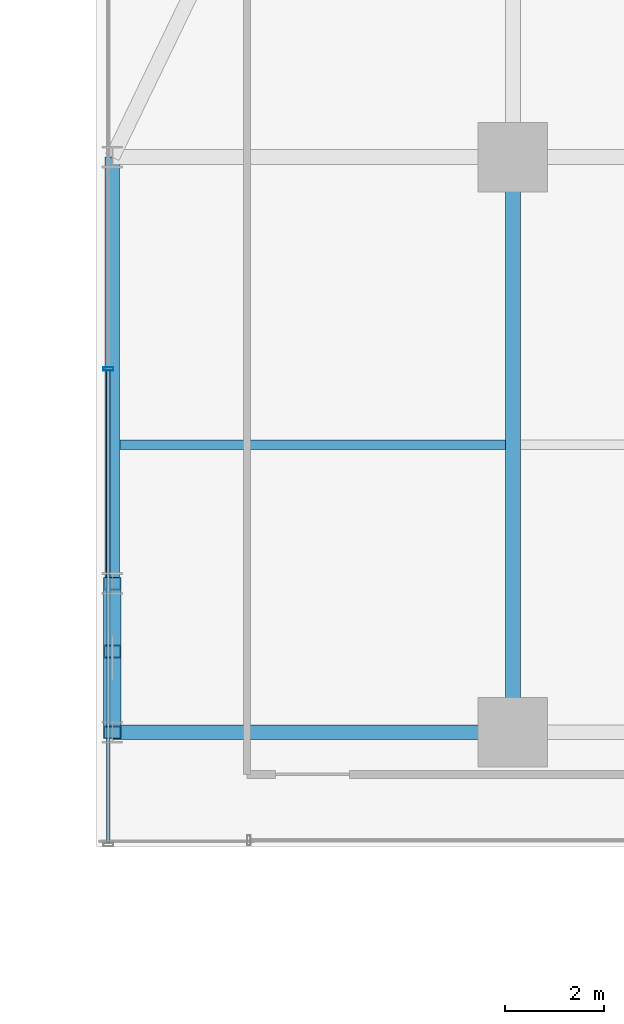
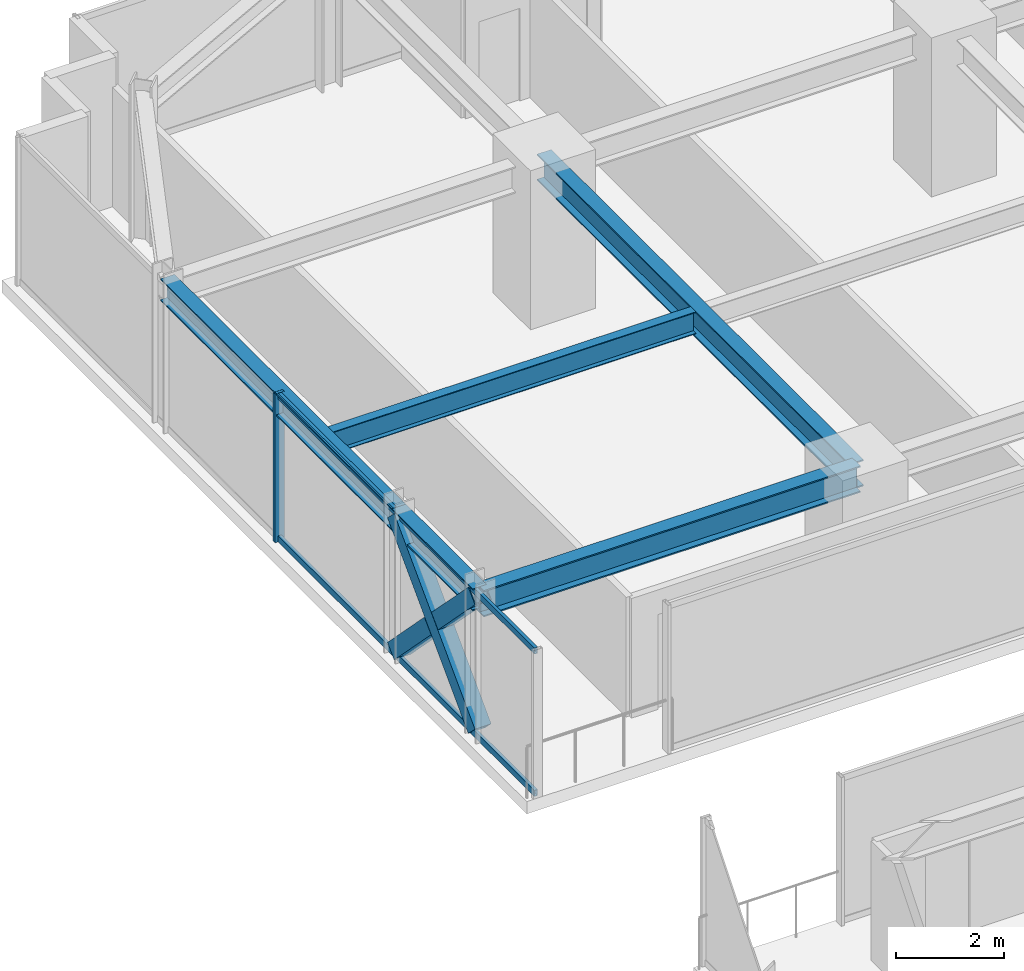
# One storey, part 21 of 38: 6 members, 5 beams, 1 element without a shape of its own.
"""IFC4 building model written with IfcOpenShell, lengths in metres."""

import ifcopenshell
import ifcopenshell.guid

model = None  # the IFC model being written
_history = None  # IfcOwnerHistory: only IFC2X3 demands one
_inside = {}  # id of a spatial element -> (the spatial element, [elements in it])
_under = {}  # id of a project, library or spatial element -> (it, [spatial elements below it])
_declared = {}  # id of a project -> (the project, [libraries it declares])
_typed = {}  # id of a type object -> (the type object, [elements of that type])
_made_of = {}  # id of a material, layer set ... -> (it, [elements and type objects made of it])


def new_model(schema):
    """Start an empty IFC model of exactly this schema.

    Asked for "IFC4X3", IfcOpenShell would pick the latest addendum, in which some entities
    have other attributes; the version numbers below select the first issue.
    IFC2X3 requires an IfcOwnerHistory on every rooted entity: one is made here for all.
    """
    global model, _history
    if schema == "IFC4X3":
        model = ifcopenshell.file(schema_version=(4, 3, 0, 0))
    else:
        model = ifcopenshell.file(schema=schema)
    _inside.clear()
    _under.clear()
    _declared.clear()
    _typed.clear()
    _made_of.clear()
    _history = None
    if model.schema == "IFC2X3":
        org = make("IfcOrganization", Name="unknown")
        user = make(
            "IfcPersonAndOrganization",
            ThePerson=make("IfcPerson", FamilyName="unknown"),
            TheOrganization=org,
        )
        app = make(
            "IfcApplication",
            ApplicationDeveloper=org,
            Version="unknown",
            ApplicationFullName="unknown",
            ApplicationIdentifier="unknown",
        )
        _history = make(
            "IfcOwnerHistory",
            OwningUser=user,
            OwningApplication=app,
            ChangeAction="ADDED",
            CreationDate=0,
        )
    return model


def make(cls, **values):
    """One entity of the class cls with the attributes given. An attribute that is None is left unset."""
    return model.create_entity(
        cls, **{name: value for name, value in values.items() if value is not None}
    )


def rooted(cls, **values):
    """An entity with a GlobalId (a new one), such as an element, a storey or a relation."""
    return make(cls, GlobalId=ifcopenshell.guid.new(), OwnerHistory=_history, **values)


def si_unit(unit_type, name, prefix=None):
    """IfcSIUnit, for example si_unit("LENGTHUNIT", "METRE", prefix="MILLI")."""
    return make("IfcSIUnit", UnitType=unit_type, Prefix=prefix, Name=name)


def assignment(units):
    """IfcUnitAssignment: the units of a project."""
    return None if units is None else make("IfcUnitAssignment", Units=units)


def point(xyz):
    """IfcCartesianPoint."""
    return None if xyz is None else make("IfcCartesianPoint", Coordinates=xyz)


def direction(xyz):
    """IfcDirection."""
    return None if xyz is None else make("IfcDirection", DirectionRatios=xyz)


def frame(location, z_axis=None, x_axis=None):
    """IfcAxis2Placement3D, a coordinate frame: its origin and axes. An axis left out is left unset."""
    return make(
        "IfcAxis2Placement3D",
        Location=point(location),
        Axis=direction(z_axis),
        RefDirection=direction(x_axis),
    )


def frame_2d(location, x_axis=None):
    """IfcAxis2Placement2D, a coordinate frame in the plane: its origin and x axis."""
    return make(
        "IfcAxis2Placement2D", Location=point(location), RefDirection=direction(x_axis)
    )


def origin():
    """The frame at (0, 0, 0) with its axes left unset."""
    return frame((0.0, 0.0, 0.0))


def origin_2d():
    """The frame at (0, 0) in the plane with its x axis left unset."""
    return frame_2d((0.0, 0.0))


def place(relative_to, where):
    """IfcLocalPlacement: puts the frame where relative to a parent placement (None: the world)."""
    return make(
        "IfcLocalPlacement", PlacementRelTo=relative_to, RelativePlacement=where
    )


def context(
    kind, dimensions, precision=None, world=None, true_north=None, identifier=None
):
    """IfcGeometricRepresentationContext, for example the 3D "Model" context."""
    return make(
        "IfcGeometricRepresentationContext",
        ContextIdentifier=identifier,
        ContextType=kind,
        CoordinateSpaceDimension=dimensions,
        Precision=precision,
        WorldCoordinateSystem=world,
        TrueNorth=true_north,
    )


def subcontext(parent, identifier, kind, view, scale=None):
    """IfcGeometricRepresentationSubContext, for example "Body" below "Model"."""
    return make(
        "IfcGeometricRepresentationSubContext",
        ContextIdentifier=identifier,
        ContextType=kind,
        ParentContext=parent,
        TargetScale=scale,
        TargetView=view,
    )


def project(units=None, contexts=None):
    """IfcProject with its units and contexts."""
    return rooted(
        "IfcProject",
        Name="project",
        RepresentationContexts=contexts,
        UnitsInContext=assignment(units),
    )


def spatial(cls, under=None, at=None, **own):
    """A site, building, storey or space (cls), placed at a placement, below another one or the project."""
    s = rooted(cls, ObjectPlacement=at, **own)
    if under is not None:
        _under.setdefault(under.id(), (under, []))[1].append(s)
    return s


def profile(cls, at=None, kind="AREA", **sizes):
    """A parametric profile (cls). Its sizes go by their IFC names, for example OverallWidth=200.0."""
    return make(cls, ProfileType=kind, Position=at, **sizes)


def hollow_rectangle(**sizes):
    """IfcRectangleHollowProfileDef."""
    return profile("IfcRectangleHollowProfileDef", **sizes)


def i_section(**sizes):
    """IfcIShapeProfileDef."""
    return profile("IfcIShapeProfileDef", **sizes)


def extrude(swept, where, along, depth):
    """IfcExtrudedAreaSolid: the profile swept, set in the frame where, extruded along a direction by depth."""
    return make(
        "IfcExtrudedAreaSolid",
        SweptArea=swept,
        Position=where,
        ExtrudedDirection=direction(along),
        Depth=depth,
    )


def shape(context_of_items, identifier, shape_type, items):
    """IfcShapeRepresentation: the items that make up one representation, for example the "Body"."""
    return make(
        "IfcShapeRepresentation",
        ContextOfItems=context_of_items,
        RepresentationIdentifier=identifier,
        RepresentationType=shape_type,
        Items=items,
    )


def source(mapping_origin, context_of_items, identifier, shape_type, items):
    """IfcRepresentationMap: a shape defined once, which mapped items show again and again."""
    return make(
        "IfcRepresentationMap",
        MappingOrigin=mapping_origin,
        MappedRepresentation=shape(context_of_items, identifier, shape_type, items),
    )


def transform(
    local_origin,
    x_axis=None,
    y_axis=None,
    z_axis=None,
    scale=None,
    scale2=None,
    scale3=None,
    uniform=True,
):
    """IfcCartesianTransformationOperator3D, or its non-uniform kind. x_axis, y_axis, z_axis: its Axis1, 2, 3."""
    if uniform:
        return make(
            "IfcCartesianTransformationOperator3D",
            Axis1=direction(x_axis),
            Axis2=direction(y_axis),
            LocalOrigin=point(local_origin),
            Scale=scale,
            Axis3=direction(z_axis),
        )
    return make(
        "IfcCartesianTransformationOperator3DnonUniform",
        Axis1=direction(x_axis),
        Axis2=direction(y_axis),
        LocalOrigin=point(local_origin),
        Scale=scale,
        Axis3=direction(z_axis),
        Scale2=scale2,
        Scale3=scale3,
    )


def mapped(mapping_source, mapping_target):
    """IfcMappedItem: shows the shape of a source again, moved by a transform."""
    return make(
        "IfcMappedItem", MappingSource=mapping_source, MappingTarget=mapping_target
    )


def material(Name=None, Category=None):
    """IfcMaterial."""
    return make("IfcMaterial", Name=Name, Category=Category)


def material_profile(
    of_material, cross_section, Name=None, Category=None, Priority=None
):
    """IfcMaterialProfile: a cross section and its material."""
    return make(
        "IfcMaterialProfile",
        Name=Name,
        Material=of_material,
        Profile=cross_section,
        Priority=Priority,
        Category=Category,
    )


def profile_set(profiles, Name=None, composite=None):
    """IfcMaterialProfileSet."""
    return make(
        "IfcMaterialProfileSet",
        Name=Name,
        MaterialProfiles=profiles,
        CompositeProfile=composite,
    )


def made_of(thing, what):
    """Note that an element or type object is made of a material, layer set ...; save() writes the relation."""
    if what is not None:
        _made_of.setdefault(what.id(), (what, []))[1].append(thing)
    return thing


def type_object(cls, material=None, **own):
    """A type object (cls), such as IfcWallType, which elements share."""
    return made_of(rooted(cls, **own), material)


def element(
    cls,
    number,
    at=None,
    inside=None,
    cuts=None,
    type_object=None,
    material=None,
    context=None,
    identifier="Body",
    shape_type=None,
    held_by="IfcProductDefinitionShape",
    body=None,
    shapes=None,
    **own,
):
    """One element of the class cls, such as IfcWall. Its Tag is "e" and its number.

    at: its placement. inside: the storey or other place that contains it. cuts: it is an
    opening in that element (IfcRelVoidsElement). A single representation is given by context,
    identifier, shape_type and body (its items); several are given by shapes. held_by: the class
    of the entity that holds the representations. save() writes the other relations.
    """
    e = rooted(cls, Tag="e%d" % number, ObjectPlacement=at, **own)
    if body is not None:
        shapes = [shape(context, identifier, shape_type, body)]
    if shapes is not None:
        e.Representation = make(held_by, Representations=shapes)
    if inside is not None:
        _inside.setdefault(inside.id(), (inside, []))[1].append(e)
    if cuts is not None:
        rooted(
            "IfcRelVoidsElement", RelatingBuildingElement=cuts, RelatedOpeningElement=e
        )
    if type_object is not None:
        _typed.setdefault(type_object.id(), (type_object, []))[1].append(e)
    return made_of(e, material)


def aggregate(whole, parts):
    """IfcRelAggregates: a whole, such as a stair, and the parts it consists of."""
    return rooted("IfcRelAggregates", RelatingObject=whole, RelatedObjects=parts)


def save(model, path):
    """Write the relations noted so far, then the file.

    IfcRelAggregates (storeys below a building ...), IfcRelContainedInSpatialStructure (elements
    in a storey), IfcRelDefinesByType, IfcRelAssociatesMaterial and IfcRelDeclares: one each for
    every whole, place, type object, material and project.
    """
    for whole, parts in _under.values():
        aggregate(whole, parts)
    for where, things in _inside.values():
        rooted(
            "IfcRelContainedInSpatialStructure",
            RelatedElements=things,
            RelatingStructure=where,
        )
    for kind, things in _typed.values():
        rooted("IfcRelDefinesByType", RelatedObjects=things, RelatingType=kind)
    for what, things in _made_of.values():
        rooted("IfcRelAssociatesMaterial", RelatedObjects=things, RelatingMaterial=what)
    for by, libraries in _declared.values():
        rooted("IfcRelDeclares", RelatingContext=by, RelatedDefinitions=libraries)
    model.write(path)


model = new_model("IFC4")

# Units and contexts
model_context = context("Model", 3, precision=1e-05, world=origin(), true_north=direction((0.0, 1.0)))
body_context = subcontext(model_context, "Body", "Model", "MODEL_VIEW")
ifc_project = project(units=[si_unit("LENGTHUNIT", "METRE"), si_unit("AREAUNIT", "SQUARE_METRE"), si_unit("VOLUMEUNIT", "CUBIC_METRE"), si_unit("PLANEANGLEUNIT", "RADIAN"), si_unit("MASSUNIT", "GRAM", prefix="KILO")], contexts=[model_context])

# Site, building, storey
site_placement = place(None, origin())
site = spatial("IfcSite", under=ifc_project, at=site_placement, CompositionType="ELEMENT")
building_placement = place(site_placement, origin())
building = spatial("IfcBuilding", under=site, at=building_placement, Name="Nahalor Promenade Grand Hotel", CompositionType="ELEMENT")
storey_placement = place(building_placement, frame((0.0, 0.0, 50.64990234375)))
storey = spatial("IfcBuildingStorey", under=building, at=storey_placement, Name="L11", CompositionType="ELEMENT", Elevation=50.64990234375)

# Beams
ifc_material_1 = material(Name="Steel S355JR", Category="steel")
ifc_material_profile_1 = material_profile(ifc_material_1, i_section(OverallWidth=0.3, OverallDepth=0.6, WebThickness=0.0155, FlangeThickness=0.03, at=origin_2d()), Name="HEB 600")
ifc_profile_set_1 = profile_set([ifc_material_profile_1], Name="Steel S355JR")
beam_type_1 = type_object("IfcBeamType", Name="Beam-Girder-HEB600", PredefinedType="BEAM", material=ifc_profile_set_1)
shared_shape_1 = source(origin(), body_context, "Body", "SweptSolid", [
    extrude(i_section(OverallWidth=0.3, OverallDepth=0.6, WebThickness=0.0155, FlangeThickness=0.03, at=origin_2d()), origin(), (0.0, 0.0, 1.0), 11.60009765625),
])
beam_1_placement = place(storey_placement, frame((-17.0, 5.39990234375, 3.070068359375), z_axis=(0.0, 1.0, 0.0), x_axis=(-1.0, 0.0, 0.0)))
element("IfcBeam", 1, at=beam_1_placement, inside=storey, type_object=beam_type_1, Name="BM-L11-GY-0-3", PredefinedType="BEAM", context=body_context, shape_type="MappedRepresentation", body=[
    mapped(shared_shape_1, transform((0.0, 0.0, 0.0), scale=1.0)),
])
ifc_material_profile_2 = material_profile(ifc_material_1, i_section(OverallWidth=0.3, OverallDepth=0.5, WebThickness=0.0145, FlangeThickness=0.028, at=origin_2d()), Name="HEB 500")
ifc_profile_set_2 = profile_set([ifc_material_profile_2], Name="Steel S355JR")
beam_type_2 = type_object("IfcBeamType", Name="Beam-Spandrel-HEB500", PredefinedType="SPANDREL", material=ifc_profile_set_2)
shared_shape_2 = source(origin(), body_context, "Body", "SweptSolid", [
    extrude(i_section(OverallWidth=0.3, OverallDepth=0.5, WebThickness=0.0145, FlangeThickness=0.028, at=origin_2d()), origin(), (0.0, 0.0, 1.0), 8.60009765625),
])
beam_2_placement = place(storey_placement, frame((-25.080078125, 8.39990234375, 3.1201171875), z_axis=(0.0, 1.0, 0.0), x_axis=(-1.0, 0.0, 0.0)))
element("IfcBeam", 2, at=beam_2_placement, inside=storey, type_object=beam_type_2, Name="BM-L11-SP-W-4", PredefinedType="SPANDREL", context=body_context, shape_type="MappedRepresentation", body=[
    mapped(shared_shape_2, transform((0.0, 0.0, 0.0), scale=1.0)),
])
shared_shape_3 = source(origin(), body_context, "Body", "SweptSolid", [
    extrude(i_section(OverallWidth=0.3, OverallDepth=0.5, WebThickness=0.0145, FlangeThickness=0.028, at=origin_2d()), origin(), (0.0, 0.0, 1.0), 3.0),
])
beam_3_placement = place(storey_placement, frame((-25.080078125, 5.39990234375, 3.1201171875), z_axis=(0.0, 1.0, 0.0), x_axis=(-1.0, 0.0, 0.0)))
element("IfcBeam", 3, at=beam_3_placement, inside=storey, type_object=beam_type_2, Name="BM-L11-SP-W-3", PredefinedType="SPANDREL", context=body_context, shape_type="MappedRepresentation", body=[
    mapped(shared_shape_3, transform((0.0, 0.0, 0.0), scale=1.0)),
])
shared_shape_4 = source(origin(), body_context, "Body", "SweptSolid", [
    extrude(i_section(OverallWidth=0.3, OverallDepth=0.6, WebThickness=0.0155, FlangeThickness=0.03, at=origin_2d()), origin(), (0.0, 0.0, 1.0), 8.080078125),
])
beam_4_placement = place(storey_placement, frame((-25.080078125, 5.39990234375, 3.070068359375), z_axis=(1.0, 0.0, 0.0), x_axis=(0.0, 1.0, 0.0)))
element("IfcBeam", 4, at=beam_4_placement, inside=storey, type_object=beam_type_1, Name="BM-L11-GX-2-0", PredefinedType="BEAM", context=body_context, shape_type="MappedRepresentation", body=[
    mapped(shared_shape_4, transform((0.0, 0.0, 0.0), scale=1.0)),
])
ifc_material_profile_3 = material_profile(ifc_material_1, i_section(OverallWidth=0.2, OverallDepth=0.5, WebThickness=0.0102, FlangeThickness=0.016, at=origin_2d()), Name="IPE 500")
ifc_profile_set_3 = profile_set([ifc_material_profile_3], Name="Steel S355JR")
beam_type_3 = type_object("IfcBeamType", Name="Beam-Joist-IPE500", PredefinedType="JOIST", material=ifc_profile_set_3)
shared_shape_5 = source(origin(), body_context, "Body", "SweptSolid", [
    extrude(i_section(OverallWidth=0.2, OverallDepth=0.5, WebThickness=0.0102, FlangeThickness=0.016, at=origin_2d()), origin(), (0.0, 0.0, 1.0), 7.780029296875),
])
beam_5_placement = place(storey_placement, frame((-24.929931640625, 11.199951171875, 3.1201171875), z_axis=(1.0, 0.0, 0.0), x_axis=(0.0, 1.0, 0.0)))
element("IfcBeam", 5, at=beam_5_placement, inside=storey, type_object=beam_type_3, Name="BM-L11-JSW-1-0", PredefinedType="JOIST", context=body_context, shape_type="MappedRepresentation", body=[
    mapped(shared_shape_5, transform((0.0, 0.0, 0.0), scale=1.0)),
])

# Members
ifc_material_profile_4 = material_profile(ifc_material_1, hollow_rectangle(XDim=0.35, YDim=0.35, WallThickness=0.02, at=origin_2d()), Name="SHS 350x350x20")
ifc_profile_set_4 = profile_set([ifc_material_profile_4], Name="Steel S355JR")
member_type_1 = type_object("IfcMemberType", Name="Mem-VoidBrace-SHS350", PredefinedType="BRACE", material=ifc_profile_set_4)
shared_shape_6 = source(origin(), body_context, "Body", "SweptSolid", [
    extrude(hollow_rectangle(XDim=0.35, YDim=0.35, WallThickness=0.02, at=origin_2d()), origin(), (0.0, 0.0, 1.0), 4.29248046875),
])
member_1_placement = place(storey_placement, frame((-25.080078125, 5.39990234375, 0.150146484375), z_axis=(0.0, 0.698897904453, 0.715221447631), x_axis=(-1.0, 0.0, 0.0)))
element("IfcMember", 6, at=member_1_placement, inside=storey, type_object=member_type_1, Name="EXO-L11-VX1-W1", PredefinedType="BRACE", context=body_context, shape_type="MappedRepresentation", body=[
    mapped(shared_shape_6, transform((0.0, 0.0, 0.0), scale=1.0)),
])
shared_shape_7 = source(origin(), body_context, "Body", "SweptSolid", [
    extrude(hollow_rectangle(XDim=0.35, YDim=0.35, WallThickness=0.02, at=origin_2d()), origin(), (0.0, 0.0, 1.0), 1.959228515625),
])
member_2_placement = place(storey_placement, frame((-25.080078125, 6.769287109375, 1.81884765625), z_axis=(0.0, -0.698898183234, 0.715221175212), x_axis=(1.0, 0.0, 0.0)))
element("IfcMember", 7, at=member_2_placement, inside=storey, type_object=member_type_1, Name="EXO-L11-VX2-W1B", PredefinedType="BRACE", context=body_context, shape_type="MappedRepresentation", body=[
    mapped(shared_shape_7, transform((0.0, 0.0, 0.0), scale=1.0)),
])
shared_shape_8 = source(origin(), body_context, "Body", "SweptSolid", [
    extrude(hollow_rectangle(XDim=0.35, YDim=0.35, WallThickness=0.02, at=origin_2d()), origin(), (0.0, 0.0, 1.0), 1.958984375),
])
member_3_placement = place(storey_placement, frame((-25.080078125, 8.39990234375, 0.150146484375), z_axis=(0.0, -0.698896728293, 0.715222596946), x_axis=(1.0, 0.0, 0.0)))
element("IfcMember", 8, at=member_3_placement, inside=storey, type_object=member_type_1, Name="EXO-L11-VX2-W1A", PredefinedType="BRACE", context=body_context, shape_type="MappedRepresentation", body=[
    mapped(shared_shape_8, transform((0.0, 0.0, 0.0), scale=1.0)),
])

# Curtain wall, members
ifc_material_2 = material(Name="Anodised Bronze Aluminium EN AW-6063 T6", Category="aluminium")
curtain_wall_type = type_object("IfcCurtainWallType", Name="CW3 Elliptical-Void Collar Unitised Curtain Wall", PredefinedType="USERDEFINED", material=ifc_material_2)
curtain_wall_placement = place(storey_placement, origin())
curtain_wall = element("IfcCurtainWall", 9, at=curtain_wall_placement, inside=storey, type_object=curtain_wall_type, Name="L11 Curtain Wall CW-L11-W-4", ObjectType="UNITISED_CURTAIN_WALL", PredefinedType="USERDEFINED")
ifc_material_profile_5 = material_profile(ifc_material_2, hollow_rectangle(XDim=0.07, YDim=0.2, WallThickness=0.005, at=origin_2d()), Name="CWM 70x200x5")
ifc_profile_set_5 = profile_set([ifc_material_profile_5], Name="Anodised Bronze Aluminium EN AW-6063 T6")
member_type_2 = type_object("IfcMemberType", Name="CWM3 Void Collar Mullion 70x200", PredefinedType="MULLION", material=ifc_profile_set_5)
shared_shape_9 = source(origin(), body_context, "Body", "SweptSolid", [
    extrude(hollow_rectangle(XDim=0.07, YDim=0.2, WallThickness=0.005, at=origin_2d()), origin(), (0.0, 0.0, 1.0), 3.3701171875),
])
member_4_placement = place(storey_placement, frame((-25.159912109375, 12.72998046875, 0.0), z_axis=(0.0, 0.0, 1.0), x_axis=(0.0, 1.0, 0.0)))
member_4 = element("IfcMember", 10, at=member_4_placement, type_object=member_type_2, Name="CW-L11-W-4 Mullion 1", PredefinedType="MULLION", context=body_context, shape_type="MappedRepresentation", body=[
    mapped(shared_shape_9, transform((0.0, 0.0, 0.0), scale=1.0)),
])
ifc_material_profile_6 = material_profile(ifc_material_2, hollow_rectangle(XDim=0.07, YDim=0.14, WallThickness=0.004, at=origin_2d()), Name="CWT 70x140x4")
ifc_profile_set_6 = profile_set([ifc_material_profile_6], Name="Anodised Bronze Aluminium EN AW-6063 T6")
member_type_3 = type_object("IfcMemberType", Name="CWT3 Void Collar Transom 70x140", PredefinedType="USERDEFINED", material=ifc_profile_set_6)
shared_shape_10 = source(origin(), body_context, "Body", "SweptSolid", [
    extrude(hollow_rectangle(XDim=0.07, YDim=0.14, WallThickness=0.004, at=origin_2d()), origin(), (0.0, 0.0, 1.0), 9.525146484375),
])
member_5_placement = place(storey_placement, frame((-25.159912109375, 3.169921875, 0.070068359375), z_axis=(0.0, 1.0, 0.0), x_axis=(-1.0, 0.0, 0.0)))
member_5 = element("IfcMember", 11, at=member_5_placement, type_object=member_type_3, Name="CW-L11-W-4 Transom 0-0", ObjectType="TRANSOM", PredefinedType="USERDEFINED", context=body_context, shape_type="MappedRepresentation", body=[
    mapped(shared_shape_10, transform((0.0, 0.0, 0.0), scale=1.0)),
])
member_6_placement = place(storey_placement, frame((-25.159912109375, 3.169921875, 3.300048828125), z_axis=(0.0, 1.0, 0.0), x_axis=(-1.0, 0.0, 0.0)))
member_6 = element("IfcMember", 12, at=member_6_placement, type_object=member_type_3, Name="CW-L11-W-4 Transom 0-1", ObjectType="TRANSOM", PredefinedType="USERDEFINED", context=body_context, shape_type="MappedRepresentation", body=[
    mapped(shared_shape_10, transform((0.0, 0.0, 0.0), scale=1.0)),
])
aggregate(curtain_wall, [member_4, member_5, member_6])

save(model, "model.ifc")
